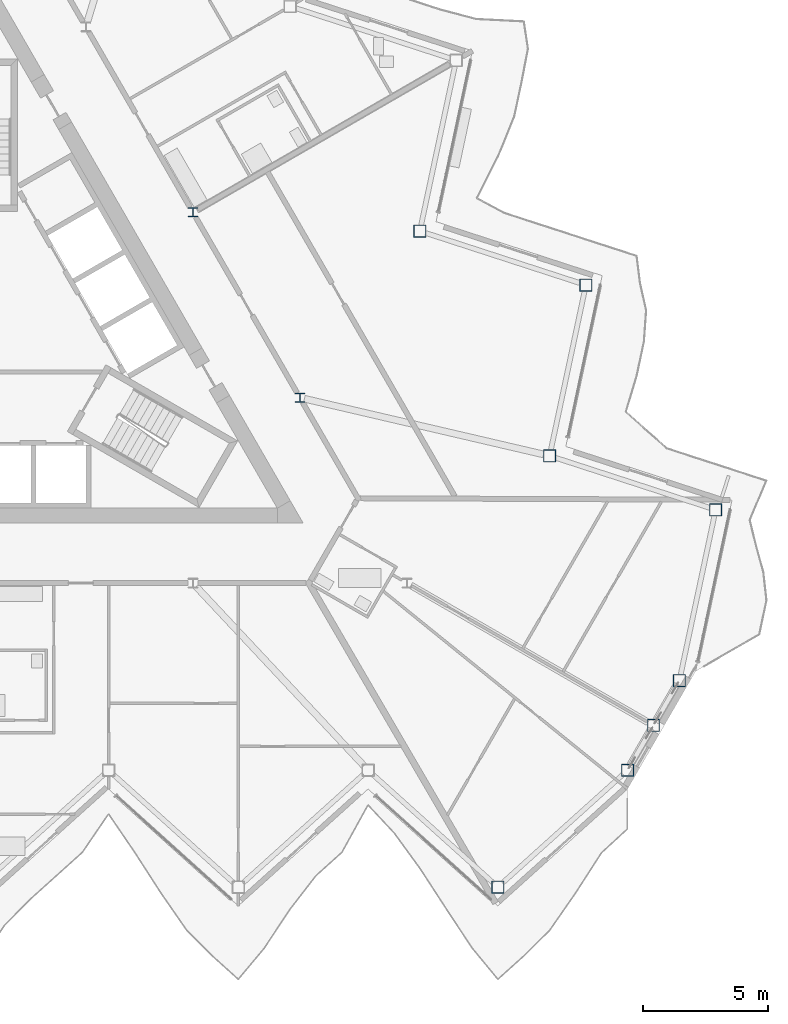
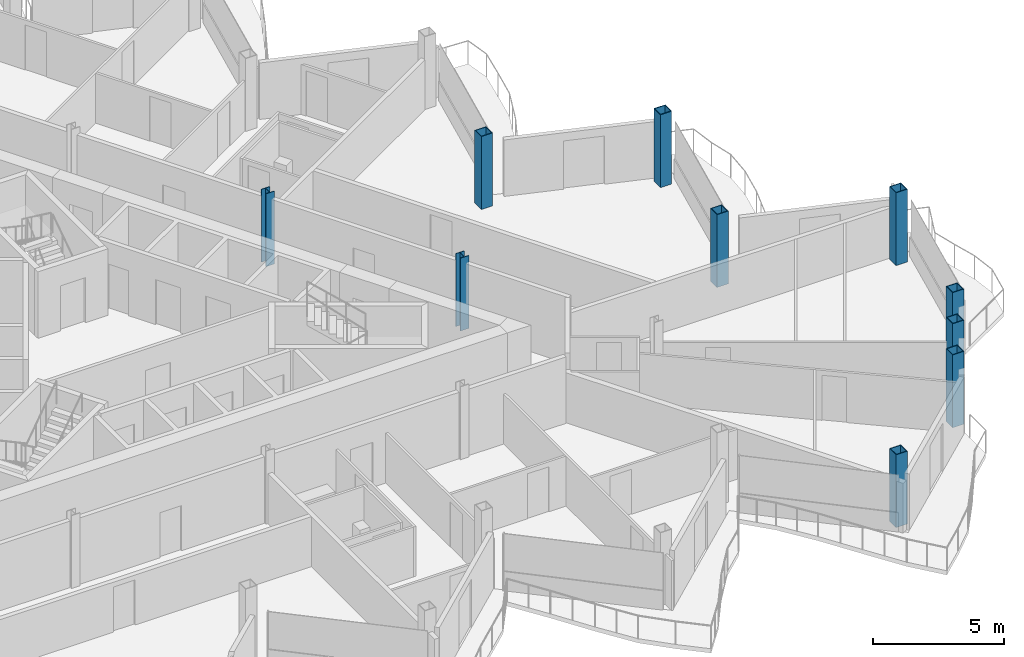
# One storey, part 2 of 26: 10 columns.
"""IFC4 building model written with IfcOpenShell, lengths in metres."""

from ifc_helpers import new_model, si_unit, direction, frame, origin, origin_2d, place, context, subcontext, project, spatial, hollow_rectangle, i_section, extrude, material, material_profile, profile_set, type_object, element, save


model = new_model("IFC4")

# Units and contexts
model_context = context("Model", 3, precision=1e-05, world=origin(), true_north=direction((0.0, 1.0)))
body_context = subcontext(model_context, "Body", "Model", "MODEL_VIEW")
ifc_project = project(units=[si_unit("LENGTHUNIT", "METRE"), si_unit("AREAUNIT", "SQUARE_METRE"), si_unit("VOLUMEUNIT", "CUBIC_METRE"), si_unit("PLANEANGLEUNIT", "RADIAN"), si_unit("MASSUNIT", "GRAM", prefix="KILO")], contexts=[model_context])

# Site, building, storey
site_placement = place(None, origin())
site = spatial("IfcSite", under=ifc_project, at=site_placement, CompositionType="ELEMENT")
building_placement = place(site_placement, origin())
building = spatial("IfcBuilding", under=site, at=building_placement, Name="Cormorant Prow Tower", CompositionType="ELEMENT")
storey_placement = place(building_placement, frame((0.0, 0.0, 367.800048828125)))
storey = spatial("IfcBuildingStorey", under=building, at=storey_placement, Name="L82", CompositionType="ELEMENT", Elevation=367.800048828125)

# Columns
ifc_material_1 = material(Name="Structural steel ASTM A572 Gr 50", Category="steel")
ifc_material_profile_1 = material_profile(ifc_material_1, hollow_rectangle(XDim=0.5, YDim=0.5, WallThickness=0.030029296875, at=origin_2d()), Name="Box 500x500x30")
ifc_profile_set_1 = profile_set([ifc_material_profile_1], Name="Structural steel ASTM A572 Gr 50")
column_type_1 = type_object("IfcColumnType", Name="Perimeter box column 500x500x30", PredefinedType="COLUMN", material=ifc_profile_set_1)
for number, where, z_axis, x_axis, name in (
    (1, (20.800048828125, -22.087890625, 0.0), (0.0, 0.0, 1.0), (1.0, 0.0, 0.0), "Perimeter column C7 at S09 L82"),
    (2, (26.0, -17.40576171875, 0.0), (0.0, 0.0, 1.0), (1.0, 0.0, 0.0), "Perimeter column C7 at ESE00 L82"),
    (3, (27.036865234375, -15.60986328125, 0.0), (0.0, 0.0, 1.0), (1.0, 0.0, 0.0), "Perimeter column C7 at ESE01 L82"),
    (4, (28.07373046875, -13.813720703125, 0.0), (0.0, 0.0, 1.0), (1.0, 0.0, 0.0), "Perimeter column C7 at ENE00 L82"),
    (5, (29.528564453125, -6.969482421875, 0.0), (0.0, 0.0, 1.0), (1.0, 0.0, 0.0), "Perimeter column C7 at ENE01 L82"),
    (6, (22.873779296875, -4.80712890625, 0.0), (0.0, 0.0, 1.0), (1.0, 0.0, 0.0), "Perimeter column C7 at ENE02 L82"),
    (7, (24.32861328125, 2.037353515625, 0.0), (0.0, 0.0, 1.0), (1.0, 0.0, 0.0), "Perimeter column C7 at ENE03 L82"),
    (8, (17.673828125, 4.199462890625, 0.0), (0.0, 0.0, 1.0), (1.0, 0.0, 0.0), "Perimeter column C7 at ENE04 L82"),
):
    element("IfcColumn", number, at=place(storey_placement, frame(where, z_axis=z_axis, x_axis=x_axis)), inside=storey, type_object=column_type_1, Name=name, PredefinedType="COLUMN", context=body_context, shape_type="SweptSolid", body=[
        extrude(hollow_rectangle(XDim=0.5, YDim=0.5, WallThickness=0.030029296875, at=origin_2d()), origin(), (0.0, 0.0, 1.0), 3.39990234375),
    ])
ifc_material_2 = material(Name="Structural steel ASTM A992 Gr 50", Category="steel")
ifc_material_profile_2 = material_profile(ifc_material_2, i_section(OverallWidth=0.3740234375, OverallDepth=0.372314453125, WebThickness=0.016357421875, FlangeThickness=0.026123046875, at=origin_2d()), Name="W14x132")
ifc_profile_set_2 = profile_set([ifc_material_profile_2], Name="Structural steel ASTM A992 Gr 50")
column_type_2 = type_object("IfcColumnType", Name="Ring column W14x132", PredefinedType="COLUMN", material=ifc_profile_set_2)
for number, where, z_axis, x_axis, name in (
    (9, (12.86767578125, -2.476318359375, 0.0), (0.0, 0.0, 1.0), (1.0, 0.0, 0.0), "Ring column 10 L82"),
    (10, (8.578369140625, 4.952880859375, 0.0), (0.0, 0.0, 1.0), (1.0, 0.0, 0.0), "Ring column 11 L82"),
):
    element("IfcColumn", number, at=place(storey_placement, frame(where, z_axis=z_axis, x_axis=x_axis)), inside=storey, type_object=column_type_2, Name=name, PredefinedType="COLUMN", context=body_context, shape_type="SweptSolid", body=[
        extrude(i_section(OverallWidth=0.3740234375, OverallDepth=0.372314453125, WebThickness=0.016357421875, FlangeThickness=0.026123046875, at=origin_2d()), origin(), (0.0, 0.0, 1.0), 3.39990234375),
    ])

save(model, "model.ifc")
